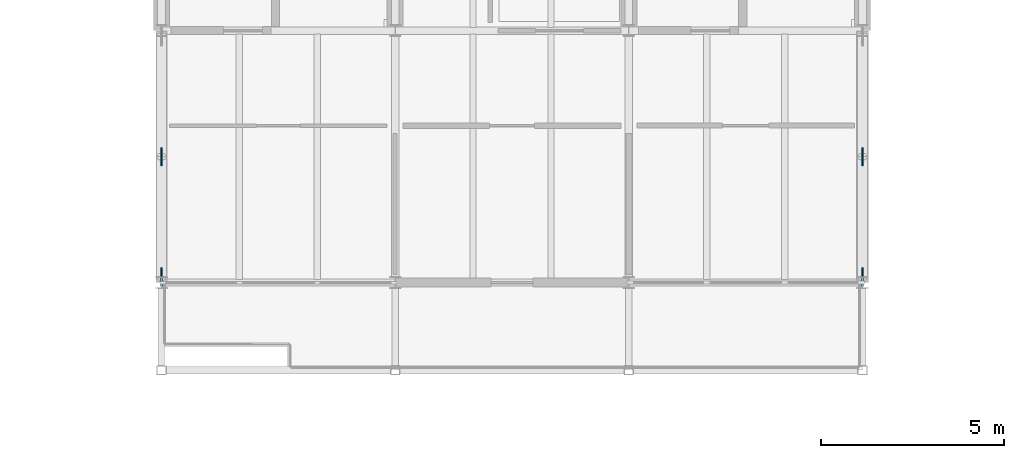
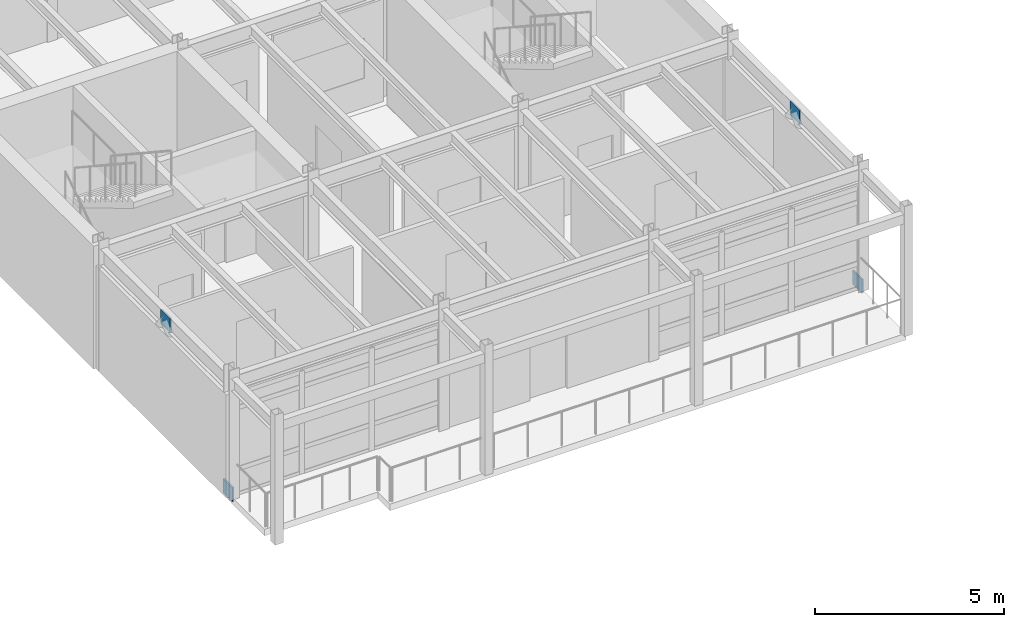
# One storey, part 121 of 144: 4 plates.
"""IFC4 building model written with IfcOpenShell, lengths in metres."""

from ifc_helpers import new_model, si_unit, direction, frame, origin, origin_2d, place, context, subcontext, project, spatial, rectangle, extrude, material, layer, layer_set, type_object, element, save


model = new_model("IFC4")

# Units and contexts
model_context = context("Model", 3, precision=1e-05, world=origin(), true_north=direction((0.0, 1.0)))
body_context = subcontext(model_context, "Body", "Model", "MODEL_VIEW")
ifc_project = project(units=[si_unit("LENGTHUNIT", "METRE"), si_unit("AREAUNIT", "SQUARE_METRE"), si_unit("VOLUMEUNIT", "CUBIC_METRE"), si_unit("PLANEANGLEUNIT", "RADIAN"), si_unit("MASSUNIT", "GRAM", prefix="KILO")], contexts=[model_context])

# Site, building, storey
site_placement = place(None, origin())
site = spatial("IfcSite", under=ifc_project, at=site_placement, CompositionType="ELEMENT")
building_placement = place(site_placement, origin())
building = spatial("IfcBuilding", under=site, at=building_placement, Name="Trelmorton Wharf Fire Station", CompositionType="ELEMENT")
storey_placement = place(building_placement, frame((0.0, 0.0, 5.39990234375)))
storey = spatial("IfcBuildingStorey", under=building, at=storey_placement, Name="L01", CompositionType="ELEMENT", Elevation=5.39990234375)

# Plates
ifc_material = material(Name="Steel Grade 350", Category="steel")
ifc_layer = layer(ifc_material, 0.050048828125)
ifc_layer_set = layer_set([ifc_layer], Name="Steel Grade 350")
plate_type = type_object("IfcPlateType", Name="PL_GUSSET_TN2", PredefinedType="USERDEFINED", material=ifc_layer_set)
for number, where, z_axis, x_axis, name in (
    (1, (70.800048828125, 60.45458984375, -0.10498046875), (0.0, 0.0, 1.0), (1.0, 0.0, 0.0), "PL-CBF-0403"),
    (2, (70.800048828125, 63.75, 3.35498046875), (0.0, 0.0, 1.0), (1.0, 0.0, 0.0), "PL-CBF-0405"),
    (3, (90.0, 60.45458984375, -0.10498046875), (0.0, 0.0, 1.0), (1.0, 0.0, 0.0), "PL-CBF-0424"),
    (4, (90.0, 63.75, 3.35498046875), (0.0, 0.0, 1.0), (1.0, 0.0, 0.0), "PL-CBF-0426"),
):
    element("IfcPlate", number, at=place(storey_placement, frame(where, z_axis=z_axis, x_axis=x_axis)), inside=storey, type_object=plate_type, Name=name, ObjectType="GUSSET PLATE", PredefinedType="USERDEFINED", context=body_context, shape_type="SweptSolid", body=[
        extrude(rectangle(XDim=0.050048828125, YDim=0.5, at=origin_2d()), origin(), (0.0, 0.0, 1.0), 0.449951171875),
    ])

save(model, "model.ifc")
